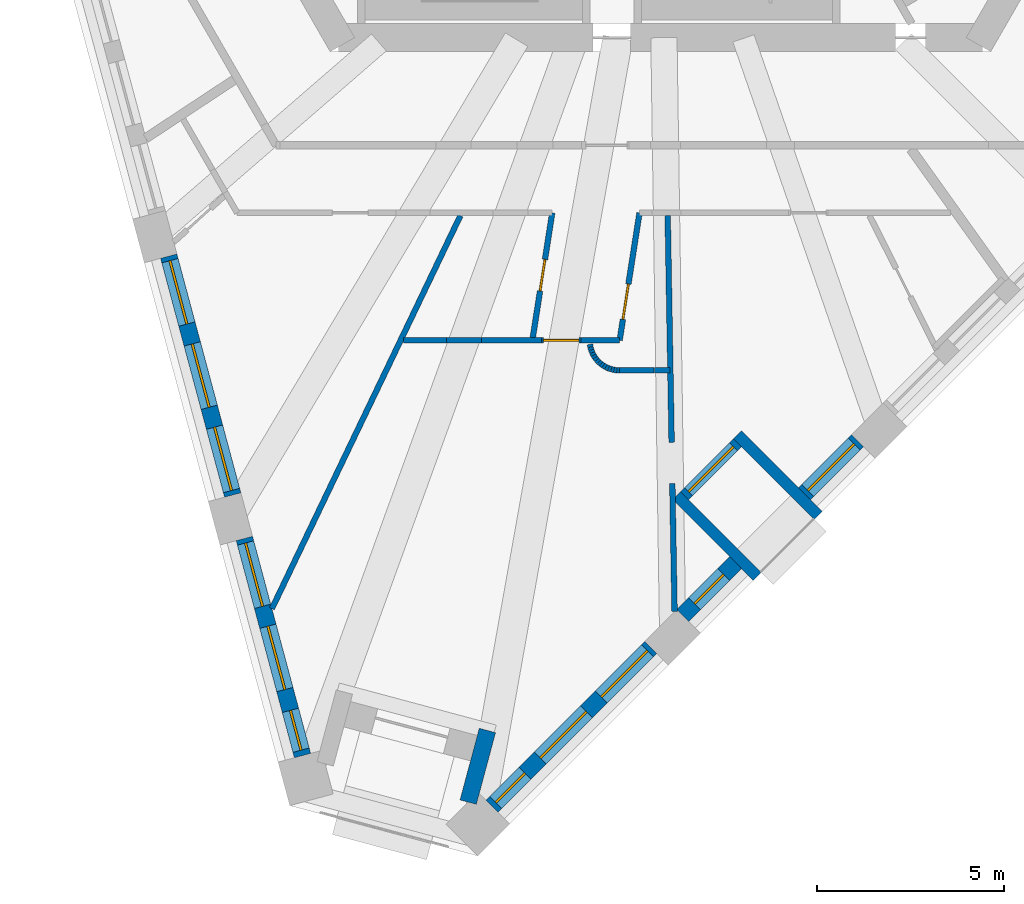
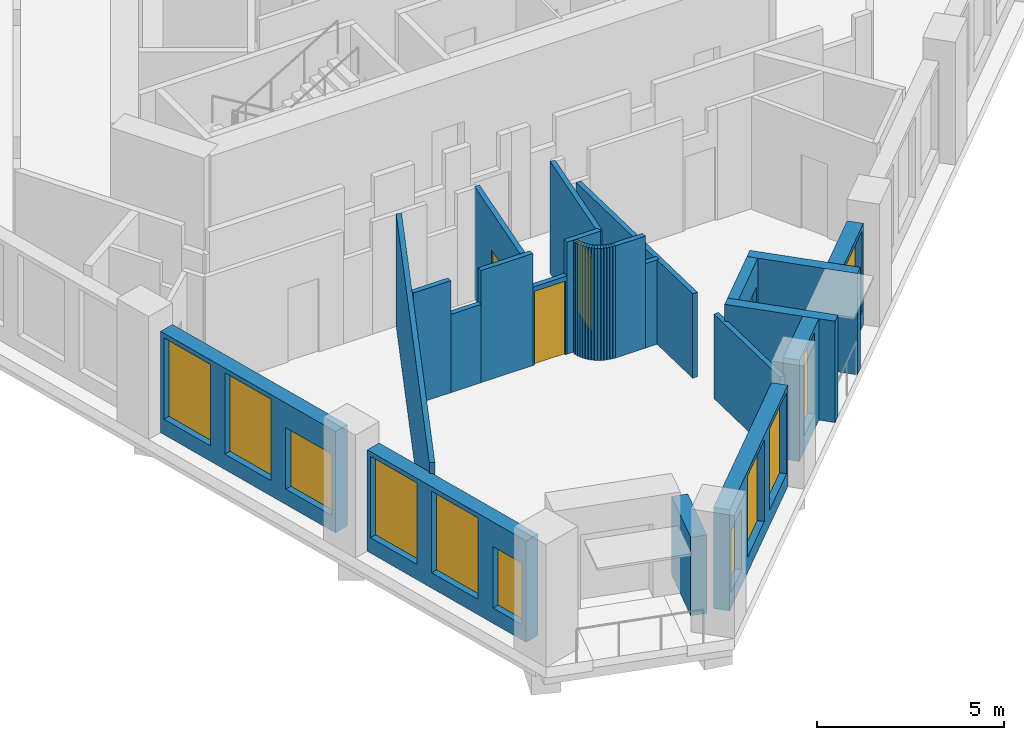
# One storey, part 2 of 13: 36 walls, 11 windows, 4 doors, 15 openings.
"""IFC4 building model written with IfcOpenShell, lengths in metres."""

from ifc_helpers import new_model, si_unit, direction, frame, frame_2d, origin, place, context, subcontext, project, spatial, rectangle, extrude, material, layer, layer_set, type_object, element, fill, save


model = new_model("IFC4")

# Units and contexts
model_context = context("Model", 3, precision=1e-05, world=origin(), true_north=direction((0.0, 1.0)))
body_context = subcontext(model_context, "Body", "Model", "MODEL_VIEW")
ifc_project = project(units=[si_unit("LENGTHUNIT", "METRE"), si_unit("AREAUNIT", "SQUARE_METRE"), si_unit("VOLUMEUNIT", "CUBIC_METRE"), si_unit("PLANEANGLEUNIT", "RADIAN"), si_unit("MASSUNIT", "GRAM", prefix="KILO")], contexts=[model_context])

# Site, building, storey
site_placement = place(None, origin())
site = spatial("IfcSite", under=ifc_project, at=site_placement, CompositionType="ELEMENT")
building_placement = place(site_placement, origin())
building = spatial("IfcBuilding", under=site, at=building_placement, Name="Tramontana Tower", CompositionType="ELEMENT")
storey_placement = place(building_placement, frame((0.0, 0.0, 220.0)))
storey = spatial("IfcBuildingStorey", under=building, at=storey_placement, Name="L51", CompositionType="ELEMENT", Elevation=220.0)

# Wall, openings, windows
ifc_material_1 = material(Name="Precast concrete 60 MPa", Category="concrete")
ifc_layer_1 = layer(ifc_material_1, 0.449951171875)
ifc_layer_set_1 = layer_set([ifc_layer_1], Name="Precast concrete 60 MPa, 450 mm")
wall_type_1 = type_object("IfcWallType", Name="EW1 Stone-faced precast wall 450", PredefinedType="SOLIDWALL", material=ifc_layer_set_1)
wall_1_placement = place(storey_placement, frame((-13.11328125, -12.2041015625, 0.0), z_axis=(0.0, 0.0, 1.0), x_axis=(0.258835402268, -0.965921443251, 0.0)))
wall_1 = element("IfcWall", 1, at=wall_1_placement, inside=storey, type_object=wall_type_1, Name="External wall L51 face 0 bay 5", PredefinedType="SOLIDWALL", context=body_context, shape_type="SweptSolid", body=[
    extrude(rectangle(XDim=6.593994140625, YDim=0.449951171875, at=frame_2d((3.296875, 0.0))), origin(), (0.0, 0.0, 1.0), 3.300048828125),
])
opening_1_placement = place(wall_1_placement, frame((0.1240234375, 0.0, 0.5)))
opening_1 = element("IfcOpeningElement", 2, at=opening_1_placement, cuts=wall_1, Name="Opening M2", PredefinedType="OPENING", context=body_context, shape_type="SweptSolid", body=[
    extrude(rectangle(XDim=1.75, YDim=2.64990234375, at=frame_2d((0.875, 1.324951171875))), frame((0.0, 0.23486328125, 0.0), z_axis=(0.0, -1.0, 0.0), x_axis=(1.0, 0.0, 0.0)), (0.0, 0.0, 1.0), 0.469970703125),
])
opening_2_placement = place(wall_1_placement, frame((2.422119140625, 0.0, 0.5)))
opening_2 = element("IfcOpeningElement", 3, at=opening_2_placement, cuts=wall_1, Name="Opening M2", PredefinedType="OPENING", context=body_context, shape_type="SweptSolid", body=[
    extrude(rectangle(XDim=1.75, YDim=2.64990234375, at=frame_2d((0.875, 1.324951171875))), frame((0.0, 0.23486328125, 0.0), z_axis=(0.0, -1.0, 0.0), x_axis=(1.0, 0.0, 0.0)), (0.0, 0.0, 1.0), 0.469970703125),
])
opening_3_placement = place(wall_1_placement, frame((4.72021484375, 0.0, 0.5)))
opening_3 = element("IfcOpeningElement", 4, at=opening_3_placement, cuts=wall_1, Name="Opening M2L", PredefinedType="OPENING", context=body_context, shape_type="SweptSolid", body=[
    extrude(rectangle(XDim=1.75, YDim=2.0, at=frame_2d((0.875, 1.0))), frame((0.0, 0.23486328125, 0.0), z_axis=(0.0, -1.0, 0.0), x_axis=(1.0, 0.0, 0.0)), (0.0, 0.0, 1.0), 0.469970703125),
])
ifc_material_2 = material(Name="Aluminum frame, double glazing unit", Category="aluminium")
window_type_1 = type_object("IfcWindowType", Name="M2 Window 1.75 x 2.65", PartitioningType="SINGLE_PANEL", PredefinedType="WINDOW", material=ifc_material_2)
window_1_placement = place(opening_1_placement, origin())
window_1 = element("IfcWindow", 5, at=window_1_placement, inside=storey, type_object=window_type_1, Name="Window M2 L51 face 0 module 13", OverallHeight=2.64990234375, OverallWidth=1.75, PartitioningType="SINGLE_PANEL", PredefinedType="WINDOW", context=body_context, shape_type="SweptSolid", body=[
    extrude(rectangle(XDim=1.75, YDim=2.64990234375, at=frame_2d((0.875, 1.324951171875))), frame((0.0, 0.030029296875, 0.0), z_axis=(0.0, -1.0, 0.0), x_axis=(1.0, 0.0, 0.0)), (0.0, 0.0, 1.0), 0.06005859375),
])
fill(opening_1, window_1)
window_2_placement = place(opening_2_placement, origin())
window_2 = element("IfcWindow", 6, at=window_2_placement, inside=storey, type_object=window_type_1, Name="Window M2 L51 face 0 module 14", OverallHeight=2.64990234375, OverallWidth=1.75, PartitioningType="SINGLE_PANEL", PredefinedType="WINDOW", context=body_context, shape_type="SweptSolid", body=[
    extrude(rectangle(XDim=1.75, YDim=2.64990234375, at=frame_2d((0.875, 1.324951171875))), frame((0.0, 0.030029296875, 0.0), z_axis=(0.0, -1.0, 0.0), x_axis=(1.0, 0.0, 0.0)), (0.0, 0.0, 1.0), 0.06005859375),
])
fill(opening_2, window_2)
ifc_material_3 = material(Name="Aluminum frame, double glazing unit", Category="aluminium")
window_type_2 = type_object("IfcWindowType", Name="M2L Window 1.75 x 2", PartitioningType="SINGLE_PANEL", PredefinedType="WINDOW", material=ifc_material_3)
window_3_placement = place(opening_3_placement, origin())
window_3 = element("IfcWindow", 7, at=window_3_placement, inside=storey, type_object=window_type_2, Name="Window M2L L51 face 0 module 15", OverallHeight=2.0, OverallWidth=1.75, PartitioningType="SINGLE_PANEL", PredefinedType="WINDOW", context=body_context, shape_type="SweptSolid", body=[
    extrude(rectangle(XDim=1.75, YDim=2.0, at=frame_2d((0.875, 1.0))), frame((0.0, 0.030029296875, 0.0), z_axis=(0.0, -1.0, 0.0), x_axis=(1.0, 0.0, 0.0)), (0.0, 0.0, 1.0), 0.06005859375),
])
fill(opening_3, window_3)

wall_2_placement = place(storey_placement, frame((-11.095947265625, -19.732666015625, 0.0), z_axis=(0.0, 0.0, 1.0), x_axis=(0.258831089404, -0.965922598948, 0.0)))
wall_2 = element("IfcWall", 8, at=wall_2_placement, inside=storey, type_object=wall_type_1, Name="External wall L51 face 0 bay 6", PredefinedType="SOLIDWALL", context=body_context, shape_type="SweptSolid", body=[
    extrude(rectangle(XDim=5.994384765625, YDim=0.449951171875, at=frame_2d((2.9970703125, 0.0))), origin(), (0.0, 0.0, 1.0), 3.300048828125),
])
opening_4_placement = place(wall_2_placement, frame((0.1240234375, 0.0, 0.5)))
opening_4 = element("IfcOpeningElement", 9, at=opening_4_placement, cuts=wall_2, Name="Opening M2", PredefinedType="OPENING", context=body_context, shape_type="SweptSolid", body=[
    extrude(rectangle(XDim=1.75, YDim=2.64990234375, at=frame_2d((0.875, 1.324951171875))), frame((0.0, 0.23486328125, 0.0), z_axis=(0.0, -1.0, 0.0), x_axis=(1.0, 0.0, 0.0)), (0.0, 0.0, 1.0), 0.469970703125),
])
opening_5_placement = place(wall_2_placement, frame((2.422119140625, 0.0, 0.5)))
opening_5 = element("IfcOpeningElement", 10, at=opening_5_placement, cuts=wall_2, Name="Opening M2", PredefinedType="OPENING", context=body_context, shape_type="SweptSolid", body=[
    extrude(rectangle(XDim=1.75, YDim=2.64990234375, at=frame_2d((0.875, 1.324951171875))), frame((0.0, 0.23486328125, 0.0), z_axis=(0.0, -1.0, 0.0), x_axis=(1.0, 0.0, 0.0)), (0.0, 0.0, 1.0), 0.469970703125),
])
opening_6_placement = place(wall_2_placement, frame((4.7451171875, 0.0, 0.5)))
opening_6 = element("IfcOpeningElement", 11, at=opening_6_placement, cuts=wall_2, Name="Opening N2L", PredefinedType="OPENING", context=body_context, shape_type="SweptSolid", body=[
    extrude(rectangle(XDim=1.10009765625, YDim=2.0, at=frame_2d((0.550048828125, 1.0))), frame((0.0, 0.23486328125, 0.0), z_axis=(0.0, -1.0, 0.0), x_axis=(1.0, 0.0, 0.0)), (0.0, 0.0, 1.0), 0.469970703125),
])
window_4_placement = place(opening_4_placement, origin())
window_4 = element("IfcWindow", 12, at=window_4_placement, inside=storey, type_object=window_type_1, Name="Window M2 L51 face 0 module 16", OverallHeight=2.64990234375, OverallWidth=1.75, PartitioningType="SINGLE_PANEL", PredefinedType="WINDOW", context=body_context, shape_type="SweptSolid", body=[
    extrude(rectangle(XDim=1.75, YDim=2.64990234375, at=frame_2d((0.875, 1.324951171875))), frame((0.0, 0.030029296875, 0.0), z_axis=(0.0, -1.0, 0.0), x_axis=(1.0, 0.0, 0.0)), (0.0, 0.0, 1.0), 0.06005859375),
])
fill(opening_4, window_4)
window_5_placement = place(opening_5_placement, origin())
window_5 = element("IfcWindow", 13, at=window_5_placement, inside=storey, type_object=window_type_1, Name="Window M2 L51 face 0 module 17", OverallHeight=2.64990234375, OverallWidth=1.75, PartitioningType="SINGLE_PANEL", PredefinedType="WINDOW", context=body_context, shape_type="SweptSolid", body=[
    extrude(rectangle(XDim=1.75, YDim=2.64990234375, at=frame_2d((0.875, 1.324951171875))), frame((0.0, 0.030029296875, 0.0), z_axis=(0.0, -1.0, 0.0), x_axis=(1.0, 0.0, 0.0)), (0.0, 0.0, 1.0), 0.06005859375),
])
fill(opening_5, window_5)
ifc_material_4 = material(Name="Aluminum frame, double glazing unit", Category="aluminium")
window_type_3 = type_object("IfcWindowType", Name="N2L Window 1.1 x 2", PartitioningType="SINGLE_PANEL", PredefinedType="WINDOW", material=ifc_material_4)
window_6_placement = place(opening_6_placement, origin())
window_6 = element("IfcWindow", 14, at=window_6_placement, inside=storey, type_object=window_type_3, Name="Window N2L L51 face 0 module 18", OverallHeight=2.0, OverallWidth=1.10009765625, PartitioningType="SINGLE_PANEL", PredefinedType="WINDOW", context=body_context, shape_type="SweptSolid", body=[
    extrude(rectangle(XDim=1.10009765625, YDim=2.0, at=frame_2d((0.550048828125, 1.0))), frame((0.0, 0.030029296875, 0.0), z_axis=(0.0, -1.0, 0.0), x_axis=(1.0, 0.0, 0.0)), (0.0, 0.0, 1.0), 0.06005859375),
])
fill(opening_6, window_6)

wall_3_placement = place(storey_placement, frame((-4.49560546875, -26.87548828125, 0.0), z_axis=(0.0, 0.0, 1.0), x_axis=(0.707106781187, 0.707106781187, 0.0)))
wall_3 = element("IfcWall", 15, at=wall_3_placement, inside=storey, type_object=wall_type_1, Name="External wall L51 face 1 bay 1", PredefinedType="SOLIDWALL", context=body_context, shape_type="SweptSolid", body=[
    extrude(rectangle(XDim=5.994140625, YDim=0.449951171875, at=frame_2d((2.9970703125, 0.0))), origin(), (0.0, 0.0, 1.0), 3.300048828125),
])
opening_7_placement = place(wall_3_placement, frame((0.14892578125, 0.0, 0.5)))
opening_7 = element("IfcOpeningElement", 16, at=opening_7_placement, cuts=wall_3, Name="Opening N2L", PredefinedType="OPENING", context=body_context, shape_type="SweptSolid", body=[
    extrude(rectangle(XDim=1.10009765625, YDim=2.0, at=frame_2d((0.550048828125, 1.0))), frame((0.0, 0.23486328125, 0.0), z_axis=(0.0, -1.0, 0.0), x_axis=(1.0, 0.0, 0.0)), (0.0, 0.0, 1.0), 0.469970703125),
])
opening_8_placement = place(wall_3_placement, frame((1.822021484375, 0.0, 0.5)))
opening_8 = element("IfcOpeningElement", 17, at=opening_8_placement, cuts=wall_3, Name="Opening M2", PredefinedType="OPENING", context=body_context, shape_type="SweptSolid", body=[
    extrude(rectangle(XDim=1.75, YDim=2.64990234375, at=frame_2d((0.875, 1.324951171875))), frame((0.0, 0.23486328125, 0.0), z_axis=(0.0, -1.0, 0.0), x_axis=(1.0, 0.0, 0.0)), (0.0, 0.0, 1.0), 0.469970703125),
])
opening_9_placement = place(wall_3_placement, frame((4.1201171875, 0.0, 0.5)))
opening_9 = element("IfcOpeningElement", 18, at=opening_9_placement, cuts=wall_3, Name="Opening M2", PredefinedType="OPENING", context=body_context, shape_type="SweptSolid", body=[
    extrude(rectangle(XDim=1.75, YDim=2.64990234375, at=frame_2d((0.875, 1.324951171875))), frame((0.0, 0.23486328125, 0.0), z_axis=(0.0, -1.0, 0.0), x_axis=(1.0, 0.0, 0.0)), (0.0, 0.0, 1.0), 0.469970703125),
])
window_7_placement = place(opening_8_placement, origin())
window_7 = element("IfcWindow", 19, at=window_7_placement, inside=storey, type_object=window_type_1, Name="Window M2 L51 face 1 module 2", OverallHeight=2.64990234375, OverallWidth=1.75, PartitioningType="SINGLE_PANEL", PredefinedType="WINDOW", context=body_context, shape_type="SweptSolid", body=[
    extrude(rectangle(XDim=1.75, YDim=2.64990234375, at=frame_2d((0.875, 1.324951171875))), frame((0.0, 0.030029296875, 0.0), z_axis=(0.0, -1.0, 0.0), x_axis=(1.0, 0.0, 0.0)), (0.0, 0.0, 1.0), 0.06005859375),
])
fill(opening_8, window_7)
window_8_placement = place(opening_9_placement, origin())
window_8 = element("IfcWindow", 20, at=window_8_placement, inside=storey, type_object=window_type_1, Name="Window M2 L51 face 1 module 3", OverallHeight=2.64990234375, OverallWidth=1.75, PartitioningType="SINGLE_PANEL", PredefinedType="WINDOW", context=body_context, shape_type="SweptSolid", body=[
    extrude(rectangle(XDim=1.75, YDim=2.64990234375, at=frame_2d((0.875, 1.324951171875))), frame((0.0, 0.030029296875, 0.0), z_axis=(0.0, -1.0, 0.0), x_axis=(1.0, 0.0, 0.0)), (0.0, 0.0, 1.0), 0.06005859375),
])
fill(opening_9, window_8)
window_9_placement = place(opening_7_placement, origin())
window_9 = element("IfcWindow", 21, at=window_9_placement, inside=storey, type_object=window_type_3, Name="Window N2L L51 face 1 module 1", OverallHeight=2.0, OverallWidth=1.10009765625, PartitioningType="SINGLE_PANEL", PredefinedType="WINDOW", context=body_context, shape_type="SweptSolid", body=[
    extrude(rectangle(XDim=1.10009765625, YDim=2.0, at=frame_2d((0.550048828125, 1.0))), frame((0.0, 0.030029296875, 0.0), z_axis=(0.0, -1.0, 0.0), x_axis=(1.0, 0.0, 0.0)), (0.0, 0.0, 1.0), 0.06005859375),
])
fill(opening_7, window_9)

# Wall, opening, window
wall_4_placement = place(storey_placement, frame((0.591552734375, -21.788330078125, 0.0), z_axis=(0.0, 0.0, 1.0), x_axis=(0.707106781187, 0.707106781187, 0.0)))
wall_4 = element("IfcWall", 22, at=wall_4_placement, inside=storey, type_object=wall_type_1, Name="External wall L51 face 1 bay 2", PredefinedType="SOLIDWALL", context=body_context, shape_type="SweptSolid", body=[
    extrude(rectangle(XDim=1.998046875, YDim=0.449951171875, at=frame_2d((0.9990234375, 0.0))), origin(), (0.0, 0.0, 1.0), 3.300048828125),
])
opening_10_placement = place(wall_4_placement, frame((0.448974609375, 0.0, 0.5)))
opening_10 = element("IfcOpeningElement", 23, at=opening_10_placement, cuts=wall_4, Name="Opening N2", PredefinedType="OPENING", context=body_context, shape_type="SweptSolid", body=[
    extrude(rectangle(XDim=1.10009765625, YDim=2.64990234375, at=frame_2d((0.550048828125, 1.324951171875))), frame((0.0, 0.23486328125, 0.0), z_axis=(0.0, -1.0, 0.0), x_axis=(1.0, 0.0, 0.0)), (0.0, 0.0, 1.0), 0.469970703125),
])
ifc_material_5 = material(Name="Aluminum frame, double glazing unit", Category="aluminium")
window_type_4 = type_object("IfcWindowType", Name="N2 Window 1.1 x 2.65", PartitioningType="SINGLE_PANEL", PredefinedType="WINDOW", material=ifc_material_5)
window_10_placement = place(opening_10_placement, origin())
window_10 = element("IfcWindow", 24, at=window_10_placement, inside=storey, type_object=window_type_4, Name="Window N2 L51 face 1 module 4", OverallHeight=2.64990234375, OverallWidth=1.10009765625, PartitioningType="SINGLE_PANEL", PredefinedType="WINDOW", context=body_context, shape_type="SweptSolid", body=[
    extrude(rectangle(XDim=1.10009765625, YDim=2.64990234375, at=frame_2d((0.550048828125, 1.324951171875))), frame((0.0, 0.030029296875, 0.0), z_axis=(0.0, -1.0, 0.0), x_axis=(1.0, 0.0, 0.0)), (0.0, 0.0, 1.0), 0.06005859375),
])
fill(opening_10, window_10)

wall_5_placement = place(storey_placement, frame((3.841552734375, -18.538330078125, 0.0), z_axis=(0.0, 0.0, 1.0), x_axis=(0.707106781187, 0.707106781187, 0.0)))
wall_5 = element("IfcWall", 25, at=wall_5_placement, inside=storey, type_object=wall_type_1, Name="External wall L51 face 1 bay 2", PredefinedType="SOLIDWALL", context=body_context, shape_type="SweptSolid", body=[
    extrude(rectangle(XDim=1.998046875, YDim=0.449951171875, at=frame_2d((0.9990234375, 0.0))), origin(), (0.0, 0.0, 1.0), 3.300048828125),
])
opening_11_placement = place(wall_5_placement, frame((0.1240234375, 0.0, 0.5)))
opening_11 = element("IfcOpeningElement", 26, at=opening_11_placement, cuts=wall_5, Name="Opening M2", PredefinedType="OPENING", context=body_context, shape_type="SweptSolid", body=[
    extrude(rectangle(XDim=1.75, YDim=2.64990234375, at=frame_2d((0.875, 1.324951171875))), frame((0.0, 0.23486328125, 0.0), z_axis=(0.0, -1.0, 0.0), x_axis=(1.0, 0.0, 0.0)), (0.0, 0.0, 1.0), 0.469970703125),
])
window_11_placement = place(opening_11_placement, origin())
window_11 = element("IfcWindow", 27, at=window_11_placement, inside=storey, type_object=window_type_1, Name="Window M2 L51 face 1 module 6", OverallHeight=2.64990234375, OverallWidth=1.75, PartitioningType="SINGLE_PANEL", PredefinedType="WINDOW", context=body_context, shape_type="SweptSolid", body=[
    extrude(rectangle(XDim=1.75, YDim=2.64990234375, at=frame_2d((0.875, 1.324951171875))), frame((0.0, 0.030029296875, 0.0), z_axis=(0.0, -1.0, 0.0), x_axis=(1.0, 0.0, 0.0)), (0.0, 0.0, 1.0), 0.06005859375),
])
fill(opening_11, window_11)

# Wall
wall_6_placement = place(storey_placement, frame((-5.126708984375, -26.76416015625, 0.0), z_axis=(0.0, 0.0, 1.0), x_axis=(0.258814190615, 0.965927127032, 0.0)))
element("IfcWall", 28, at=wall_6_placement, inside=storey, type_object=wall_type_1, Name="Corner loggia side wall L51 K51l", PredefinedType="SOLIDWALL", context=body_context, shape_type="SweptSolid", body=[
    extrude(rectangle(XDim=1.97900390625, YDim=0.449951171875, at=frame_2d((0.989501953125, 0.0))), origin(), (0.0, 0.0, 1.0), 2.550048828125),
])

# Wall, opening, door
ifc_material_6 = material(Name="Precast concrete 60 MPa", Category="concrete")
ifc_layer_2 = layer(ifc_material_6, 0.300048828125)
ifc_layer_set_2 = layer_set([ifc_layer_2], Name="LW1 Stone-faced loggia wall 300")
wall_type_2 = type_object("IfcWallType", Name="LW1 Stone-faced loggia wall 300", PredefinedType="SOLIDWALL", material=ifc_layer_set_2)
wall_7_placement = place(storey_placement, frame((0.643310546875, -18.590087890625, 0.0), z_axis=(0.0, 0.0, 1.0), x_axis=(0.707106781187, 0.707106781187, 0.0)))
wall_7 = element("IfcWall", 29, at=wall_7_placement, inside=storey, type_object=wall_type_2, Name="Loggia wall L51 G5S1.4", PredefinedType="SOLIDWALL", context=body_context, shape_type="SweptSolid", body=[
    extrude(rectangle(XDim=1.998046875, YDim=0.300048828125, at=frame_2d((0.9990234375, 0.0))), origin(), (0.0, 0.0, 1.0), 3.300048828125),
])
opening_12_placement = place(wall_7_placement, frame((0.14892578125, 0.0, 0.0)))
opening_12 = element("IfcOpeningElement", 30, at=opening_12_placement, cuts=wall_7, Name="Opening BD-5S1-04", PredefinedType="OPENING", context=body_context, shape_type="SweptSolid", body=[
    extrude(rectangle(XDim=1.699951171875, YDim=2.449951171875, at=frame_2d((0.85009765625, 1.22509765625))), frame((0.0, 0.159912109375, 0.0), z_axis=(0.0, -1.0, 0.0), x_axis=(1.0, 0.0, 0.0)), (0.0, 0.0, 1.0), 0.320068359375),
])
ifc_material_7 = material(Name="Aluminum frame, double glazing unit", Category="aluminium")
door_type_1 = type_object("IfcDoorType", Name="BD2 Sliding door 1.7 x 2.45", OperationType="SLIDING_TO_LEFT", PredefinedType="DOOR", material=ifc_material_7)
door_1_placement = place(opening_12_placement, origin())
door_1 = element("IfcDoor", 31, at=door_1_placement, inside=storey, type_object=door_type_1, Name="Loggia door L51 G5S1.4", OperationType="SLIDING_TO_LEFT", OverallHeight=2.449951171875, OverallWidth=1.699951171875, PredefinedType="DOOR", context=body_context, shape_type="SweptSolid", body=[
    extrude(rectangle(XDim=1.699951171875, YDim=2.449951171875, at=frame_2d((0.85009765625, 1.22509765625))), frame((0.0, 0.02490234375, 0.0), z_axis=(0.0, -1.0, 0.0), x_axis=(1.0, 0.0, 0.0)), (0.0, 0.0, 1.0), 0.050048828125),
])
fill(opening_12, door_1)

# Walls
for number, where, z_axis, x_axis, name in (
    (32, (2.587646484375, -20.746826171875, 0.0), (0.0, 0.0, 1.0), (-0.707066755897, 0.707146804211, 0.0), "Loggia return L51 G5S1.4a"),
    (33, (4.212646484375, -19.121826171875, 0.0), (0.0, 0.0, 1.0), (-0.707066755897, 0.707146804211, 0.0), "Loggia return L51 G5S1.4b"),
):
    element("IfcWall", number, at=place(storey_placement, frame(where, z_axis=z_axis, x_axis=x_axis)), inside=storey, type_object=wall_type_2, Name=name, PredefinedType="SOLIDWALL", context=body_context, shape_type="SweptSolid", body=[
        extrude(rectangle(XDim=3.0498046875, YDim=0.300048828125, at=frame_2d((1.52490234375, 0.0))), origin(), (0.0, 0.0, 1.0), 3.300048828125),
    ])
ifc_material_8 = material(Name="Gypsum board partition")
ifc_layer_3 = layer(ifc_material_8, 0.14990234375)
ifc_layer_set_3 = layer_set([ifc_layer_3], Name="PARTITION 150")
wall_type_3 = type_object("IfcWallType", Name="PARTITION 150", PredefinedType="PARTITIONING", material=ifc_layer_set_3)
wall_8_placement = place(storey_placement, frame((-10.361328125, -21.604248046875, 0.0), z_axis=(0.0, 0.0, 1.0), x_axis=(0.432440122573, 0.901662653318, 0.0)))
element("IfcWall", 34, at=wall_8_placement, inside=storey, type_object=wall_type_3, Name="Wall v51-pw26", PredefinedType="PARTITIONING", context=body_context, shape_type="SweptSolid", body=[
    extrude(rectangle(XDim=11.6220703125, YDim=0.14990234375, at=frame_2d((5.81103515625, 0.0))), origin(), (0.0, 0.0, 1.0), 3.64990234375),
])

# Wall, opening, door
wall_9_placement = place(storey_placement, frame((-3.40380859375, -14.375, 0.0), z_axis=(0.0, 0.0, 1.0), x_axis=(0.153954145104, 0.988077993483, 0.0)))
wall_9 = element("IfcWall", 35, at=wall_9_placement, inside=storey, type_object=wall_type_3, Name="Wall v51-pw31", PredefinedType="PARTITIONING", context=body_context, shape_type="SweptSolid", body=[
    extrude(rectangle(XDim=3.364990234375, YDim=0.14990234375, at=frame_2d((1.6826171875, 0.0))), origin(), (0.0, 0.0, 1.0), 3.64990234375),
])
opening_13_placement = place(wall_9_placement, frame((1.257568359375, 0.0, 0.0)))
opening_13 = element("IfcOpeningElement", 36, at=opening_13_placement, cuts=wall_9, Name="Opening B5B-07", PredefinedType="OPENING", context=body_context, shape_type="SweptSolid", body=[
    extrude(rectangle(XDim=0.85009765625, YDim=2.39990234375, at=frame_2d((0.425048828125, 1.199951171875))), frame((0.0, 0.0849609375, 0.0), z_axis=(0.0, -1.0, 0.0), x_axis=(1.0, 0.0, 0.0)), (0.0, 0.0, 1.0), 0.169921875),
])
ifc_material_9 = material(Name="Painted timber", Category="wood")
door_type_2 = type_object("IfcDoorType", Name="DOOR BATH 850", OperationType="SINGLE_SWING_LEFT", PredefinedType="DOOR", material=ifc_material_9)
door_2_placement = place(opening_13_placement, origin())
door_2 = element("IfcDoor", 37, at=door_2_placement, inside=storey, type_object=door_type_2, Name="Door B5B-07", OperationType="SINGLE_SWING_LEFT", OverallHeight=2.39990234375, OverallWidth=0.85009765625, PredefinedType="DOOR", context=body_context, shape_type="SweptSolid", body=[
    extrude(rectangle(XDim=0.85009765625, YDim=2.39990234375, at=frame_2d((0.425048828125, 1.199951171875))), frame((0.0, 0.02490234375, 0.0), z_axis=(0.0, -1.0, 0.0), x_axis=(1.0, 0.0, 0.0)), (0.0, 0.0, 1.0), 0.050048828125),
])
fill(opening_13, door_2)

# Walls
for number, where, z_axis, x_axis, name in (
    (38, (-1.866943359375, -14.63134765625, 0.0), (0.0, 0.0, 1.0), (-0.1788854382, 0.9838699101, 0.0), "Wall v51-pw33"),
    (39, (-1.845947265625, -14.705078125, 0.0), (0.0, 0.0, 1.0), (-0.274721127897, 0.961523947641, 0.0), "Wall v51-pw34"),
    (40, (-1.818115234375, -14.776611328125, 0.0), (0.0, 0.0, 1.0), (-0.363677532225, 0.931524907104, 0.0), "Wall v51-pw35"),
):
    element("IfcWall", number, at=place(storey_placement, frame(where, z_axis=z_axis, x_axis=x_axis)), inside=storey, type_object=wall_type_3, Name=name, PredefinedType="PARTITIONING", context=body_context, shape_type="SweptSolid", body=[
        extrude(rectangle(XDim=0.076416015625, YDim=0.14990234375, at=frame_2d((0.0380859375, 0.0))), origin(), (0.0, 0.0, 1.0), 3.64990234375),
    ])
for number, where, z_axis, x_axis, name in (
    (41, (-1.783447265625, -14.844970703125, 0.0), (0.0, 0.0, 1.0), (-0.452302704274, 0.8918644873, 0.0), "Wall v51-pw36"),
    (42, (-1.742431640625, -14.90966796875, 0.0), (0.0, 0.0, 1.0), (-0.535431141917, 0.844578884572, 0.0), "Wall v51-pw37"),
):
    element("IfcWall", number, at=place(storey_placement, frame(where, z_axis=z_axis, x_axis=x_axis)), inside=storey, type_object=wall_type_3, Name=name, PredefinedType="PARTITIONING", context=body_context, shape_type="SweptSolid", body=[
        extrude(rectangle(XDim=0.07666015625, YDim=0.14990234375, at=frame_2d((0.038330078125, 0.0))), origin(), (0.0, 0.0, 1.0), 3.64990234375),
    ])
for number, where, z_axis, x_axis, name in (
    (43, (-1.695556640625, -14.97021484375, 0.0), (0.0, 0.0, 1.0), (-0.613719296373, 0.789524303147, 0.0), "Wall v51-pw38"),
    (44, (-1.64306640625, -15.026123046875, 0.0), (0.0, 0.0, 1.0), (-0.684366522653, 0.729138164322, 0.0), "Wall v51-pw39"),
    (45, (-1.585205078125, -15.076416015625, 0.0), (0.0, 0.0, 1.0), (-0.753367147722, 0.657600137419, 0.0), "Wall v51-pw40"),
):
    element("IfcWall", number, at=place(storey_placement, frame(where, z_axis=z_axis, x_axis=x_axis)), inside=storey, type_object=wall_type_3, Name=name, PredefinedType="PARTITIONING", context=body_context, shape_type="SweptSolid", body=[
        extrude(rectangle(XDim=0.076416015625, YDim=0.14990234375, at=frame_2d((0.0380859375, 0.0))), origin(), (0.0, 0.0, 1.0), 3.64990234375),
    ])
for number, where, z_axis, x_axis, name in (
    (46, (-1.52294921875, -15.121337890625, 0.0), (0.0, 0.0, 1.0), (-0.812439824754, 0.583045050706, 0.0), "Wall v51-pw41"),
    (47, (-1.456787109375, -15.159912109375, 0.0), (0.0, 0.0, 1.0), (-0.863894497941, 0.503672806917, 0.0), "Wall v51-pw42"),
):
    element("IfcWall", number, at=place(storey_placement, frame(where, z_axis=z_axis, x_axis=x_axis)), inside=storey, type_object=wall_type_3, Name=name, PredefinedType="PARTITIONING", context=body_context, shape_type="SweptSolid", body=[
        extrude(rectangle(XDim=0.07666015625, YDim=0.14990234375, at=frame_2d((0.038330078125, 0.0))), origin(), (0.0, 0.0, 1.0), 3.64990234375),
    ])
for number, where, z_axis, x_axis, name in (
    (48, (-1.38720703125, -15.19189453125, 0.0), (0.0, 0.0, 1.0), (-0.908052943408, 0.418855406994, 0.0), "Wall v51-pw43"),
    (49, (-1.314697265625, -15.217041015625, 0.0), (0.0, 0.0, 1.0), (-0.944453743444, 0.328644376942, 0.0), "Wall v51-pw44"),
):
    element("IfcWall", number, at=place(storey_placement, frame(where, z_axis=z_axis, x_axis=x_axis)), inside=storey, type_object=wall_type_3, Name=name, PredefinedType="PARTITIONING", context=body_context, shape_type="SweptSolid", body=[
        extrude(rectangle(XDim=0.076416015625, YDim=0.14990234375, at=frame_2d((0.0380859375, 0.0))), origin(), (0.0, 0.0, 1.0), 3.64990234375),
    ])
wall_10_placement = place(storey_placement, frame((-1.240234375, -15.2353515625, 0.0), z_axis=(0.0, 0.0, 1.0), x_axis=(-0.9718058735, 0.235782408653, 0.0)))
element("IfcWall", 50, at=wall_10_placement, inside=storey, type_object=wall_type_3, Name="Wall v51-pw45", PredefinedType="PARTITIONING", context=body_context, shape_type="SweptSolid", body=[
    extrude(rectangle(XDim=0.07666015625, YDim=0.14990234375, at=frame_2d((0.038330078125, 0.0))), origin(), (0.0, 0.0, 1.0), 3.64990234375),
])
for number, where, z_axis, x_axis, name in (
    (51, (-1.16455078125, -15.246337890625, 0.0), (0.0, 0.0, 1.0), (-0.98962773674, 0.143655639204, 0.0), "Wall v51-pw46"),
    (52, (-1.087890625, -15.25, 0.0), (0.0, 0.0, 1.0), (-0.99885365176, 0.047868385867, 0.0), "Wall v51-pw47"),
):
    element("IfcWall", number, at=place(storey_placement, frame(where, z_axis=z_axis, x_axis=x_axis)), inside=storey, type_object=wall_type_3, Name=name, PredefinedType="PARTITIONING", context=body_context, shape_type="SweptSolid", body=[
        extrude(rectangle(XDim=0.076416015625, YDim=0.14990234375, at=frame_2d((0.0380859375, 0.0))), origin(), (0.0, 0.0, 1.0), 3.64990234375),
    ])
wall_11_placement = place(storey_placement, frame((-1.087890625, -14.449951171875, 0.0), z_axis=(0.0, 0.0, 1.0), x_axis=(-1.0, 0.0, 0.0)))
element("IfcWall", 53, at=wall_11_placement, inside=storey, type_object=wall_type_3, Name="Wall v51-pw48-0", PredefinedType="PARTITIONING", context=body_context, shape_type="SweptSolid", body=[
    extrude(rectangle(XDim=1.036865234375, YDim=0.14990234375, at=frame_2d((0.5185546875, 0.0))), origin(), (0.0, 0.0, 1.0), 3.64990234375),
])

# Wall, opening, door
wall_12_placement = place(storey_placement, frame((-2.124755859375, -14.449951171875, 0.0), z_axis=(0.0, 0.0, 1.0), x_axis=(-1.0, 0.0, 0.0)))
wall_12 = element("IfcWall", 54, at=wall_12_placement, inside=storey, type_object=wall_type_3, Name="Wall v51-pw48-1", PredefinedType="PARTITIONING", context=body_context, shape_type="SweptSolid", body=[
    extrude(rectangle(XDim=1.050048828125, YDim=0.14990234375, at=frame_2d((0.52490234375, 0.0))), origin(), (0.0, 0.0, 1.0), 2.550048828125),
])
opening_14_placement = place(wall_12_placement, frame((0.050048828125, 0.0, 0.0)))
opening_14 = element("IfcOpeningElement", 55, at=opening_14_placement, cuts=wall_12, Name="Opening B5B-08", PredefinedType="OPENING", context=body_context, shape_type="SweptSolid", body=[
    extrude(rectangle(XDim=0.949951171875, YDim=2.39990234375, at=frame_2d((0.47509765625, 1.199951171875))), frame((0.0, 0.0849609375, 0.0), z_axis=(0.0, -1.0, 0.0), x_axis=(1.0, 0.0, 0.0)), (0.0, 0.0, 1.0), 0.169921875),
])
ifc_material_10 = material(Name="Painted timber", Category="wood")
door_type_3 = type_object("IfcDoorType", Name="DOOR ROOM 950", OperationType="SINGLE_SWING_LEFT", PredefinedType="DOOR", material=ifc_material_10)
door_3_placement = place(opening_14_placement, origin())
door_3 = element("IfcDoor", 56, at=door_3_placement, inside=storey, type_object=door_type_3, Name="Door B5B-08", OperationType="SINGLE_SWING_RIGHT", OverallHeight=2.39990234375, OverallWidth=0.949951171875, PredefinedType="DOOR", context=body_context, shape_type="SweptSolid", body=[
    extrude(rectangle(XDim=0.949951171875, YDim=2.39990234375, at=frame_2d((0.47509765625, 1.199951171875))), frame((0.0, 0.02490234375, 0.0), z_axis=(0.0, -1.0, 0.0), x_axis=(1.0, 0.0, 0.0)), (0.0, 0.0, 1.0), 0.050048828125),
])
fill(opening_14, door_3)

# Walls
wall_13_placement = place(storey_placement, frame((-3.1748046875, -14.449951171875, 0.0), z_axis=(0.0, 0.0, 1.0), x_axis=(-1.0, 0.0, 0.0)))
element("IfcWall", 57, at=wall_13_placement, inside=storey, type_object=wall_type_3, Name="Wall v51-pw48-2", PredefinedType="PARTITIONING", context=body_context, shape_type="SweptSolid", body=[
    extrude(rectangle(XDim=1.593994140625, YDim=0.14990234375, at=frame_2d((0.796875, 0.0))), origin(), (0.0, 0.0, 1.0), 3.64990234375),
])
wall_14_placement = place(storey_placement, frame((-4.768798828125, -14.449951171875, 0.0), z_axis=(0.0, 0.0, 1.0), x_axis=(-1.0, 0.0, 0.0)))
element("IfcWall", 58, at=wall_14_placement, inside=storey, type_object=wall_type_3, Name="Wall v51-pw48-3", PredefinedType="PARTITIONING", context=body_context, shape_type="SweptSolid", body=[
    extrude(rectangle(XDim=0.930419921875, YDim=0.14990234375, at=frame_2d((0.46533203125, 0.0))), origin(), (0.0, 0.0, 1.0), 2.550048828125),
])
wall_15_placement = place(storey_placement, frame((-5.69921875, -14.449951171875, 0.0), z_axis=(0.0, 0.0, 1.0), x_axis=(-1.0, 0.0, 0.0)))
element("IfcWall", 59, at=wall_15_placement, inside=storey, type_object=wall_type_3, Name="Wall v51-pw48-4", PredefinedType="PARTITIONING", context=body_context, shape_type="SweptSolid", body=[
    extrude(rectangle(XDim=1.147705078125, YDim=0.14990234375, at=frame_2d((0.57373046875, 0.0))), origin(), (0.0, 0.0, 1.0), 3.64990234375),
])

# Wall, opening, door
wall_16_placement = place(storey_placement, frame((-0.55810546875, -11.050048828125, 0.0), z_axis=(0.0, 0.0, 1.0), x_axis=(-0.153965629941, -0.988076203942, 0.0)))
wall_16 = element("IfcWall", 60, at=wall_16_placement, inside=storey, type_object=wall_type_3, Name="Wall v51-pw49", PredefinedType="PARTITIONING", context=body_context, shape_type="SweptSolid", body=[
    extrude(rectangle(XDim=3.44091796875, YDim=0.14990234375, at=frame_2d((1.720458984375, 0.0))), origin(), (0.0, 0.0, 1.0), 3.64990234375),
])
opening_15_placement = place(wall_16_placement, frame((1.919921875, 0.0, 0.0)))
opening_15 = element("IfcOpeningElement", 61, at=opening_15_placement, cuts=wall_16, Name="Opening B5B-06", PredefinedType="OPENING", context=body_context, shape_type="SweptSolid", body=[
    extrude(rectangle(XDim=0.949951171875, YDim=2.39990234375, at=frame_2d((0.47509765625, 1.199951171875))), frame((0.0, 0.0849609375, 0.0), z_axis=(0.0, -1.0, 0.0), x_axis=(1.0, 0.0, 0.0)), (0.0, 0.0, 1.0), 0.169921875),
])
door_4_placement = place(opening_15_placement, origin())
door_4 = element("IfcDoor", 62, at=door_4_placement, inside=storey, type_object=door_type_3, Name="Door B5B-06", OperationType="SINGLE_SWING_RIGHT", OverallHeight=2.39990234375, OverallWidth=0.949951171875, PredefinedType="DOOR", context=body_context, shape_type="SweptSolid", body=[
    extrude(rectangle(XDim=0.949951171875, YDim=2.39990234375, at=frame_2d((0.47509765625, 1.199951171875))), frame((0.0, 0.02490234375, 0.0), z_axis=(0.0, -1.0, 0.0), x_axis=(1.0, 0.0, 0.0)), (0.0, 0.0, 1.0), 0.050048828125),
])
fill(opening_15, door_4)

# Walls
wall_17_placement = place(storey_placement, frame((0.193359375, -11.125, 0.0), z_axis=(0.0, 0.0, 1.0), x_axis=(0.017371817544, -0.999849098592, 0.0)))
element("IfcWall", 63, at=wall_17_placement, inside=storey, type_object=wall_type_3, Name="Wall v51-pw50-0", PredefinedType="PARTITIONING", context=body_context, shape_type="SweptSolid", body=[
    extrude(rectangle(XDim=6.043212890625, YDim=0.14990234375, at=frame_2d((3.021484375, 0.0))), origin(), (0.0, 0.0, 1.0), 2.75),
])
wall_18_placement = place(storey_placement, frame((0.251220703125, -15.25, 0.0), z_axis=(0.0, 0.0, 1.0), x_axis=(-1.0, 0.0, 0.0)))
element("IfcWall", 64, at=wall_18_placement, inside=storey, type_object=wall_type_3, Name="Wall v51-pw51-0", PredefinedType="PARTITIONING", context=body_context, shape_type="SweptSolid", body=[
    extrude(rectangle(XDim=0.416259765625, YDim=0.14990234375, at=frame_2d((0.2080078125, 0.0))), origin(), (0.0, 0.0, 1.0), 2.75),
])
wall_19_placement = place(storey_placement, frame((-0.1650390625, -15.25, 0.0), z_axis=(0.0, 0.0, 1.0), x_axis=(-1.0, 0.0, 0.0)))
element("IfcWall", 65, at=wall_19_placement, inside=storey, type_object=wall_type_3, Name="Wall v51-pw51-1", PredefinedType="PARTITIONING", context=body_context, shape_type="SweptSolid", body=[
    extrude(rectangle(XDim=0.922607421875, YDim=0.14990234375, at=frame_2d((0.46142578125, 0.0))), origin(), (0.0, 0.0, 1.0), 3.64990234375),
])
wall_20_placement = place(storey_placement, frame((0.3173828125, -18.264404296875, 0.0), z_axis=(0.0, 0.0, 1.0), x_axis=(0.017414733236, -0.999848352035, 0.0)))
element("IfcWall", 66, at=wall_20_placement, inside=storey, type_object=wall_type_3, Name="Wall v51-pw52-0", PredefinedType="PARTITIONING", context=body_context, shape_type="SweptSolid", body=[
    extrude(rectangle(XDim=3.420654296875, YDim=0.14990234375, at=frame_2d((1.71044921875, 0.0))), origin(), (0.0, 0.0, 1.0), 2.75),
])

save(model, "model.ifc")
